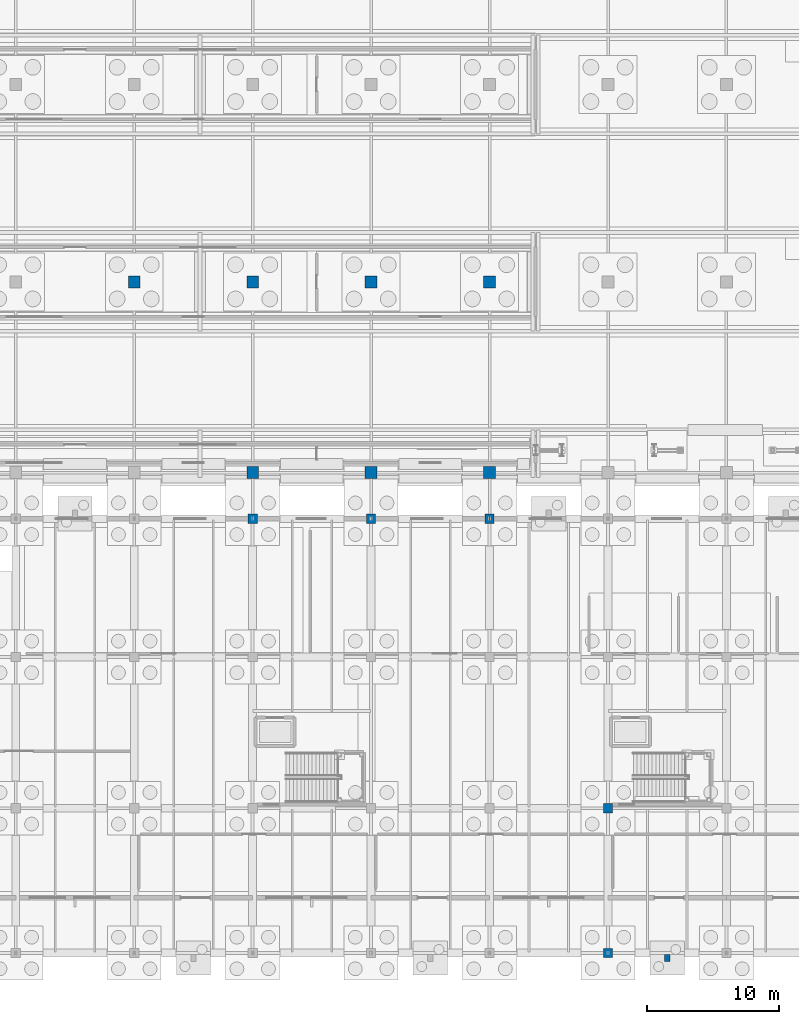
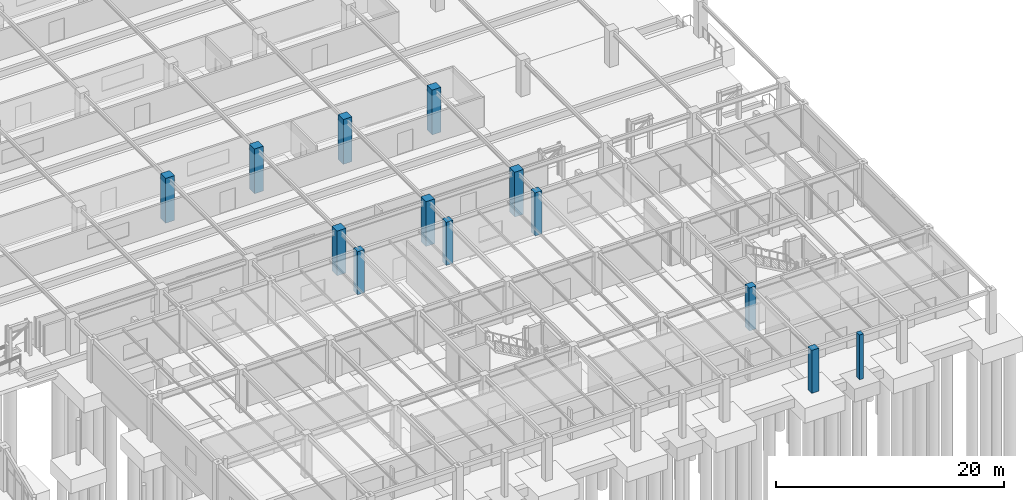
# One storey, part 29 of 160: 13 columns.
"""IFC4 building model written with IfcOpenShell, lengths in metres."""

from ifc_helpers import new_model, si_unit, direction, frame, origin, origin_2d, place, context, subcontext, project, spatial, rectangle, extrude, material, material_profile, profile_set, type_object, element, save


model = new_model("IFC4")

# Units and contexts
model_context = context("Model", 3, precision=1e-05, world=origin(), true_north=direction((0.0, 1.0)))
body_context = subcontext(model_context, "Body", "Model", "MODEL_VIEW")
ifc_project = project(units=[si_unit("LENGTHUNIT", "METRE"), si_unit("AREAUNIT", "SQUARE_METRE"), si_unit("VOLUMEUNIT", "CUBIC_METRE"), si_unit("PLANEANGLEUNIT", "RADIAN"), si_unit("MASSUNIT", "GRAM", prefix="KILO")], contexts=[model_context])

# Site, building, storey
site_placement = place(None, origin())
site = spatial("IfcSite", under=ifc_project, at=site_placement, CompositionType="ELEMENT")
building_placement = place(site_placement, origin())
building = spatial("IfcBuilding", under=site, at=building_placement, Name="Marlcrest Central Station", CompositionType="ELEMENT")
storey_placement = place(building_placement, origin())
storey = spatial("IfcBuildingStorey", under=building, at=storey_placement, Name="L00", CompositionType="ELEMENT", Elevation=0.0)

# Columns
ifc_material_1 = material(Name="Precast concrete C40/50", Category="concrete")
ifc_material_profile_1 = material_profile(ifc_material_1, rectangle(XDim=0.39990234375, YDim=0.550048828125, at=origin_2d()), Name="PIL 400x550")
ifc_profile_set_1 = profile_set([ifc_material_profile_1], Name="Precast concrete C40/50")
column_type_1 = type_object("IfcColumnType", Name="PL-02", PredefinedType="PILASTER", material=ifc_profile_set_1)
column_placement = place(storey_placement, frame((202.5, -0.3798828125, 0.0), z_axis=(0.0, 0.0, 1.0), x_axis=(1.0, 0.0, 0.0)))
element("IfcColumn", 1, at=column_placement, inside=storey, type_object=column_type_1, Name="col-PL-02-L00-0294", PredefinedType="PILASTER", context=body_context, shape_type="SweptSolid", body=[
    extrude(rectangle(XDim=0.39990234375, YDim=0.550048828125, at=origin_2d()), origin(), (0.0, 0.0, 1.0), 4.800048828125),
])
ifc_material_2 = material(Name="Concrete C50/60", Category="concrete")
ifc_material_profile_2 = material_profile(ifc_material_2, rectangle(XDim=0.699951171875, YDim=0.699951171875, at=origin_2d()), Name="RC 700x700")
ifc_profile_set_2 = profile_set([ifc_material_profile_2], Name="Concrete C50/60")
column_type_2 = type_object("IfcColumnType", Name="RC-06", PredefinedType="COLUMN", material=ifc_profile_set_2)
for number, where, z_axis, x_axis, name in (
    (2, (171.0, 33.0, 0.0), (0.0, 0.0, 1.0), (1.0, 0.0, 0.0), "col-RC-06-L00-0268"),
    (3, (180.0, 33.0, 0.0), (0.0, 0.0, 1.0), (1.0, 0.0, 0.0), "col-RC-06-L00-0272"),
    (4, (189.0, 33.0, 0.0), (0.0, 0.0, 1.0), (1.0, 0.0, 0.0), "col-RC-06-L00-0276"),
    (5, (198.0, 0.0, 0.0), (0.0, 0.0, 1.0), (1.0, 0.0, 0.0), "col-RC-06-L00-0277"),
    (6, (198.0, 11.0, 0.0), (0.0, 0.0, 1.0), (1.0, 0.0, 0.0), "col-RC-06-L00-0278"),
):
    element("IfcColumn", number, at=place(storey_placement, frame(where, z_axis=z_axis, x_axis=x_axis)), inside=storey, type_object=column_type_2, Name=name, PredefinedType="COLUMN", context=body_context, shape_type="SweptSolid", body=[
        extrude(rectangle(XDim=0.699951171875, YDim=0.699951171875, at=origin_2d()), origin(), (0.0, 0.0, 1.0), 4.60498046875),
    ])
ifc_material_profile_3 = material_profile(ifc_material_2, rectangle(XDim=0.89990234375, YDim=0.89990234375, at=origin_2d()), Name="RC 900x900")
ifc_profile_set_3 = profile_set([ifc_material_profile_3], Name="Concrete C50/60")
column_type_3 = type_object("IfcColumnType", Name="RC-08", PredefinedType="COLUMN", material=ifc_profile_set_3)
for number, where, z_axis, x_axis, name in (
    (7, (162.0, 51.0, 0.0), (0.0, 0.0, 1.0), (1.0, 0.0, 0.0), "col-RC-08-L00-0536"),
    (8, (171.0, 36.5, 0.0), (0.0, 0.0, 1.0), (1.0, 0.0, 0.0), "col-RC-08-L00-0545"),
    (9, (171.0, 51.0, 0.0), (0.0, 0.0, 1.0), (1.0, 0.0, 0.0), "col-RC-08-L00-0547"),
    (10, (180.0, 36.5, 0.0), (0.0, 0.0, 1.0), (1.0, 0.0, 0.0), "col-RC-08-L00-0556"),
    (11, (180.0, 51.0, 0.0), (0.0, 0.0, 1.0), (1.0, 0.0, 0.0), "col-RC-08-L00-0558"),
    (12, (189.0, 36.5, 0.0), (0.0, 0.0, 1.0), (1.0, 0.0, 0.0), "col-RC-08-L00-0567"),
    (13, (189.0, 51.0, 0.0), (0.0, 0.0, 1.0), (1.0, 0.0, 0.0), "col-RC-08-L00-0569"),
):
    element("IfcColumn", number, at=place(storey_placement, frame(where, z_axis=z_axis, x_axis=x_axis)), inside=storey, type_object=column_type_3, Name=name, PredefinedType="COLUMN", context=body_context, shape_type="SweptSolid", body=[
        extrude(rectangle(XDim=0.89990234375, YDim=0.89990234375, at=origin_2d()), origin(), (0.0, 0.0, 1.0), 4.800048828125),
    ])

save(model, "model.ifc")
